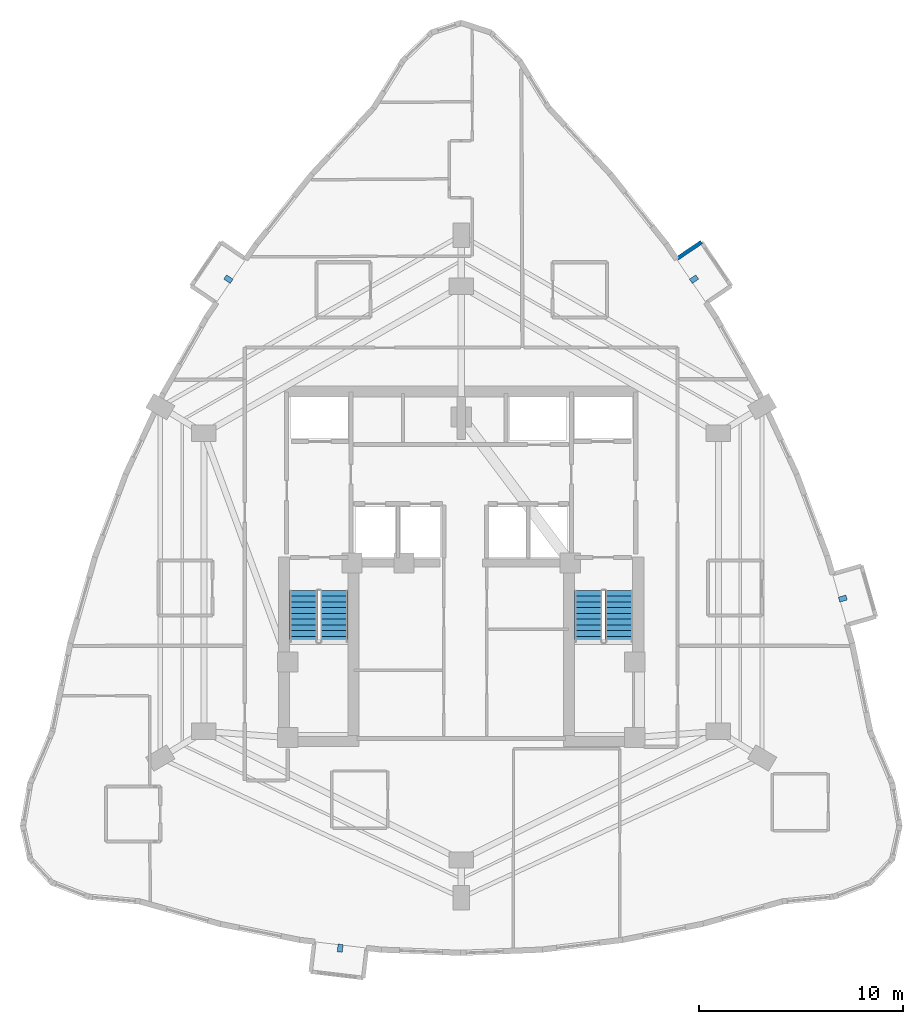
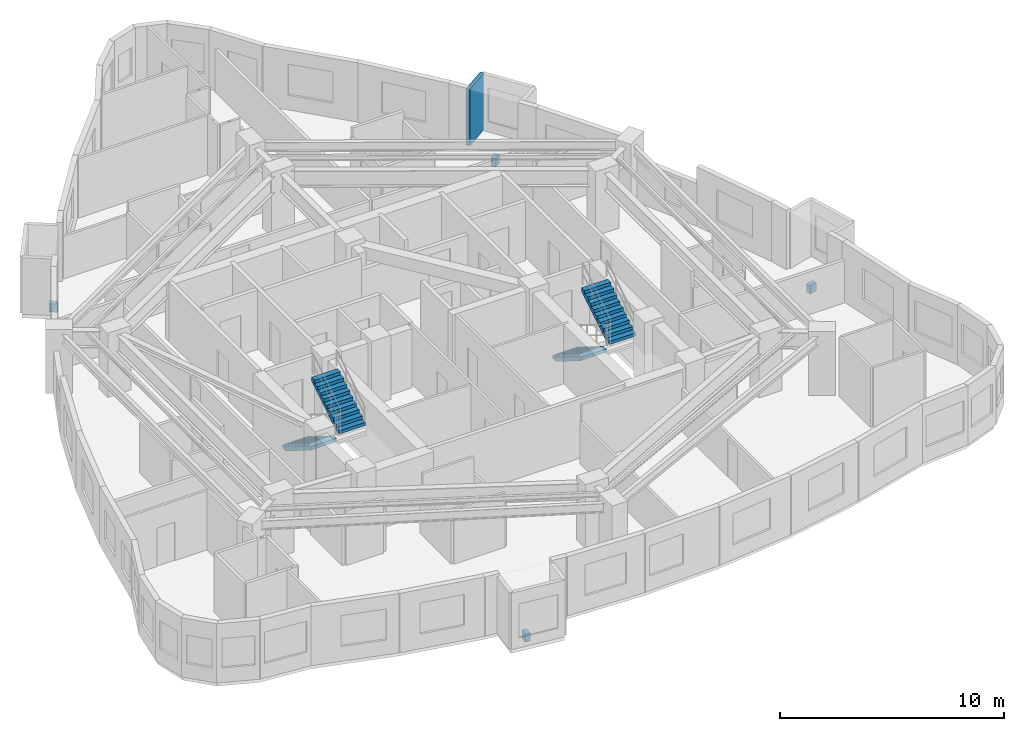
# One storey, part 10 of 11: 4 discrete accessories, 4 stair flights, 1 wall, 2 elements without a shape of their own.
"""IFC4 building model written with IfcOpenShell, lengths in metres."""

from ifc_helpers import new_model, si_unit, direction, frame, frame_2d, origin, origin_2d, place, context, subcontext, project, spatial, polyline, rectangle, outline, extrude, material, layer, layer_set, type_object, element, aggregate, save


model = new_model("IFC4")

# Units and contexts
model_context = context("Model", 3, precision=1e-05, world=origin(), true_north=direction((0.0, 1.0)))
body_context = subcontext(model_context, "Body", "Model", "MODEL_VIEW")
ifc_project = project(units=[si_unit("LENGTHUNIT", "METRE"), si_unit("AREAUNIT", "SQUARE_METRE"), si_unit("VOLUMEUNIT", "CUBIC_METRE"), si_unit("PLANEANGLEUNIT", "RADIAN"), si_unit("MASSUNIT", "GRAM", prefix="KILO")], contexts=[model_context])

# Site, building, storey
site_placement = place(None, origin())
site = spatial("IfcSite", under=ifc_project, at=site_placement, CompositionType="ELEMENT")
building_placement = place(site_placement, origin())
building = spatial("IfcBuilding", under=site, at=building_placement, Name="Miruveldt Soraemaru", CompositionType="ELEMENT")
storey_placement = place(building_placement, frame((0.0, 0.0, 152.89990234375)))
storey = spatial("IfcBuildingStorey", under=building, at=storey_placement, Name="L42", CompositionType="ELEMENT", Elevation=152.89990234375)

# Wall
ifc_material_1 = material(Name="White powder-coated aluminium EN AW-6060 T6", Category="aluminium")
ifc_layer = layer(ifc_material_1, 0.18994140625, Name="White powder-coated aluminium EN AW-6060 T6", Category="aluminium")
ifc_layer_set = layer_set([ifc_layer], Name="White powder-coated aluminium EN AW-6060 T6")
wall_type = type_object("IfcWallType", Name="WALL-BAY-ALU190", PredefinedType="SOLIDWALL", material=ifc_layer_set)
wall_placement = place(storey_placement, frame((55.7685546875, 59.767578125, 0.0), z_axis=(0.0, 0.0, 1.0), x_axis=(-0.82794178844, -0.560814046681, 0.0)))
element("IfcWall", 1, at=wall_placement, inside=storey, type_object=wall_type, Name="L42 Bay Window Side Cheek 3R", PredefinedType="SOLIDWALL", context=body_context, shape_type="SweptSolid", body=[
    extrude(rectangle(XDim=1.4248046875, YDim=0.18994140625, at=frame_2d((0.71240234375, 0.0))), origin(), (0.0, 0.0, 1.0), 3.085205078125),
])

# Stair, stair flights
ifc_material_2 = material(Name="Concrete C40/50 (40 MPa)", Category="concrete")
stair_type = type_object("IfcStairType", Name="STAIR-DL-350", PredefinedType="HALF_TURN_STAIR", material=ifc_material_2)
stair_1_placement = place(storey_placement, origin())
stair_1 = element("IfcStair", 2, at=stair_1_placement, inside=storey, type_object=stair_type, Name="L42 Protected Exit Stair ST-1", PredefinedType="HALF_TURN_STAIR")
stair_flight_type = type_object("IfcStairFlightType", Name="SFL-DL-350", PredefinedType="STRAIGHT", material=ifc_material_2)
stair_flight_1_placement = place(storey_placement, frame((36.27490234375, 42.699951171875, 0.0), z_axis=(0.0, 0.0, 1.0), x_axis=(0.0, -1.0, 0.0)))
stair_flight_1 = element("IfcStairFlight", 3, at=stair_flight_1_placement, type_object=stair_flight_type, Name="ST-1 flight 1", NumberOfRisers=10, NumberOfTreads=9, PredefinedType="STRAIGHT", RiserHeight=0.175, TreadLength=0.28, context=body_context, shape_type="SweptSolid", body=[
    extrude(outline(polyline([(0.0, 0.0), (0.0, 0.175048828125), (0.280029296875, 0.175048828125), (0.280029296875, 0.35009765625), (0.56005859375, 0.35009765625), (0.56005859375, 0.52490234375), (0.840087890625, 0.52490234375), (0.840087890625, 0.699951171875), (1.1201171875, 0.699951171875), (1.1201171875, 0.875), (1.39990234375, 0.875), (1.39990234375, 1.050048828125), (1.679931640625, 1.050048828125), (1.679931640625, 1.22509765625), (1.9599609375, 1.22509765625), (1.9599609375, 1.39990234375), (2.239990234375, 1.39990234375), (2.239990234375, 1.574951171875), (2.52001953125, 1.574951171875), (2.52001953125, 1.75), (2.52001953125, 1.386474609375), (0.3017578125, 0.0), (0.0, 0.0)])), frame((0.0, 0.675048828125, 0.0), z_axis=(0.0, -1.0, 0.0), x_axis=(1.0, 0.0, 0.0)), (0.0, 0.0, 1.0), 1.35009765625),
])
stair_flight_2_placement = place(storey_placement, frame((37.77490234375, 40.179931640625, 1.75), z_axis=(0.0, 0.0, 1.0), x_axis=(0.0, 1.0, 0.0)))
stair_flight_2 = element("IfcStairFlight", 4, at=stair_flight_2_placement, type_object=stair_flight_type, Name="ST-1 flight 2", NumberOfRisers=10, NumberOfTreads=9, PredefinedType="STRAIGHT", RiserHeight=0.175, TreadLength=0.28, context=body_context, shape_type="SweptSolid", body=[
    extrude(outline(polyline([(0.0, 0.0), (0.0, 0.175048828125), (0.280029296875, 0.175048828125), (0.280029296875, 0.35009765625), (0.56005859375, 0.35009765625), (0.56005859375, 0.52490234375), (0.840087890625, 0.52490234375), (0.840087890625, 0.699951171875), (1.1201171875, 0.699951171875), (1.1201171875, 0.875), (1.39990234375, 0.875), (1.39990234375, 1.050048828125), (1.679931640625, 1.050048828125), (1.679931640625, 1.22509765625), (1.9599609375, 1.22509765625), (1.9599609375, 1.39990234375), (2.239990234375, 1.39990234375), (2.239990234375, 1.574951171875), (2.52001953125, 1.574951171875), (2.52001953125, 1.75), (2.52001953125, 1.386474609375), (0.3017578125, 0.0), (0.0, 0.0)])), frame((0.0, 0.675048828125, 0.0), z_axis=(0.0, -1.0, 0.0), x_axis=(1.0, 0.0, 0.0)), (0.0, 0.0, 1.0), 1.35009765625),
])
aggregate(stair_1, [stair_flight_1, stair_flight_2])

stair_2_placement = place(storey_placement, origin())
stair_2 = element("IfcStair", 5, at=stair_2_placement, inside=storey, type_object=stair_type, Name="L42 Protected Exit Stair ST-2", PredefinedType="HALF_TURN_STAIR")
stair_flight_3_placement = place(storey_placement, frame((50.22509765625, 42.699951171875, 0.0), z_axis=(0.0, 0.0, 1.0), x_axis=(0.0, -1.0, 0.0)))
stair_flight_3 = element("IfcStairFlight", 6, at=stair_flight_3_placement, type_object=stair_flight_type, Name="ST-2 flight 1", NumberOfRisers=10, NumberOfTreads=9, PredefinedType="STRAIGHT", RiserHeight=0.175, TreadLength=0.28, context=body_context, shape_type="SweptSolid", body=[
    extrude(outline(polyline([(0.0, 0.0), (0.0, 0.175048828125), (0.280029296875, 0.175048828125), (0.280029296875, 0.35009765625), (0.56005859375, 0.35009765625), (0.56005859375, 0.52490234375), (0.840087890625, 0.52490234375), (0.840087890625, 0.699951171875), (1.1201171875, 0.699951171875), (1.1201171875, 0.875), (1.39990234375, 0.875), (1.39990234375, 1.050048828125), (1.679931640625, 1.050048828125), (1.679931640625, 1.22509765625), (1.9599609375, 1.22509765625), (1.9599609375, 1.39990234375), (2.239990234375, 1.39990234375), (2.239990234375, 1.574951171875), (2.52001953125, 1.574951171875), (2.52001953125, 1.75), (2.52001953125, 1.386474609375), (0.3017578125, 0.0), (0.0, 0.0)])), frame((0.0, 0.675048828125, 0.0), z_axis=(0.0, -1.0, 0.0), x_axis=(1.0, 0.0, 0.0)), (0.0, 0.0, 1.0), 1.35009765625),
])
stair_flight_4_placement = place(storey_placement, frame((51.72509765625, 40.179931640625, 1.75), z_axis=(0.0, 0.0, 1.0), x_axis=(0.0, 1.0, 0.0)))
stair_flight_4 = element("IfcStairFlight", 7, at=stair_flight_4_placement, type_object=stair_flight_type, Name="ST-2 flight 2", NumberOfRisers=10, NumberOfTreads=9, PredefinedType="STRAIGHT", RiserHeight=0.175, TreadLength=0.28, context=body_context, shape_type="SweptSolid", body=[
    extrude(outline(polyline([(0.0, 0.0), (0.0, 0.175048828125), (0.280029296875, 0.175048828125), (0.280029296875, 0.35009765625), (0.56005859375, 0.35009765625), (0.56005859375, 0.52490234375), (0.840087890625, 0.52490234375), (0.840087890625, 0.699951171875), (1.1201171875, 0.699951171875), (1.1201171875, 0.875), (1.39990234375, 0.875), (1.39990234375, 1.050048828125), (1.679931640625, 1.050048828125), (1.679931640625, 1.22509765625), (1.9599609375, 1.22509765625), (1.9599609375, 1.39990234375), (2.239990234375, 1.39990234375), (2.239990234375, 1.574951171875), (2.52001953125, 1.574951171875), (2.52001953125, 1.75), (2.52001953125, 1.386474609375), (0.3017578125, 0.0), (0.0, 0.0)])), frame((0.0, 0.675048828125, 0.0), z_axis=(0.0, -1.0, 0.0), x_axis=(1.0, 0.0, 0.0)), (0.0, 0.0, 1.0), 1.35009765625),
])
aggregate(stair_2, [stair_flight_3, stair_flight_4])

# Discrete accessories
ifc_material_3 = material(Name="Steel SM355 (355 MPa)", Category="steel")
discrete_accessory_type = type_object("IfcDiscreteAccessoryType", Name="ACC-BAY-BRK", PredefinedType="BRACKET", material=ifc_material_3)
for number, where, z_axis, x_axis, name in (
    (8, (38.0712890625, 25.182861328125, -0.7099609375), (0.0, 0.0, 1.0), (-0.119131818163, -0.99287844669, 0.0), "L42 Bay Window Cantilever Bracket 1"),
    (9, (62.6943359375, 42.304443359375, -0.7099609375), (0.0, 0.0, 1.0), (0.961453892845, 0.274966201438, 0.0), "L42 Bay Window Cantilever Bracket 2"),
    (10, (55.40478515625, 57.950927734375, -0.7099609375), (0.0, 0.0, 1.0), (0.827923319955, 0.560841311134, 0.0), "L42 Bay Window Cantilever Bracket 3"),
    (11, (32.59521484375, 57.950927734375, -0.7099609375), (0.0, 0.0, 1.0), (-0.827923319955, 0.560841311134, 0.0), "L42 Bay Window Cantilever Bracket 4"),
):
    element("IfcDiscreteAccessory", number, at=place(storey_placement, frame(where, z_axis=z_axis, x_axis=x_axis)), inside=storey, type_object=discrete_accessory_type, Name=name, PredefinedType="BRACKET", context=body_context, shape_type="SweptSolid", body=[
        extrude(rectangle(XDim=0.3798828125, YDim=0.25, at=origin_2d()), origin(), (0.0, 0.0, 1.0), 0.449951171875),
    ])

save(model, "model.ifc")
